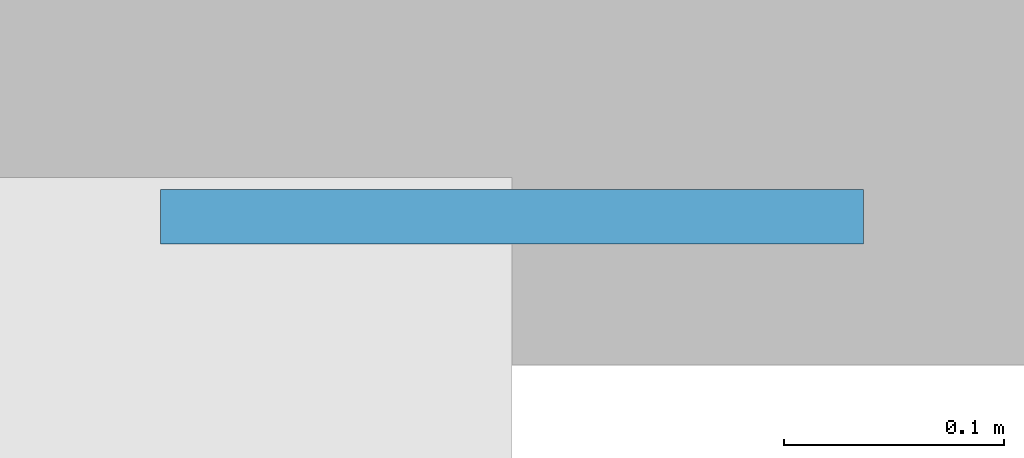
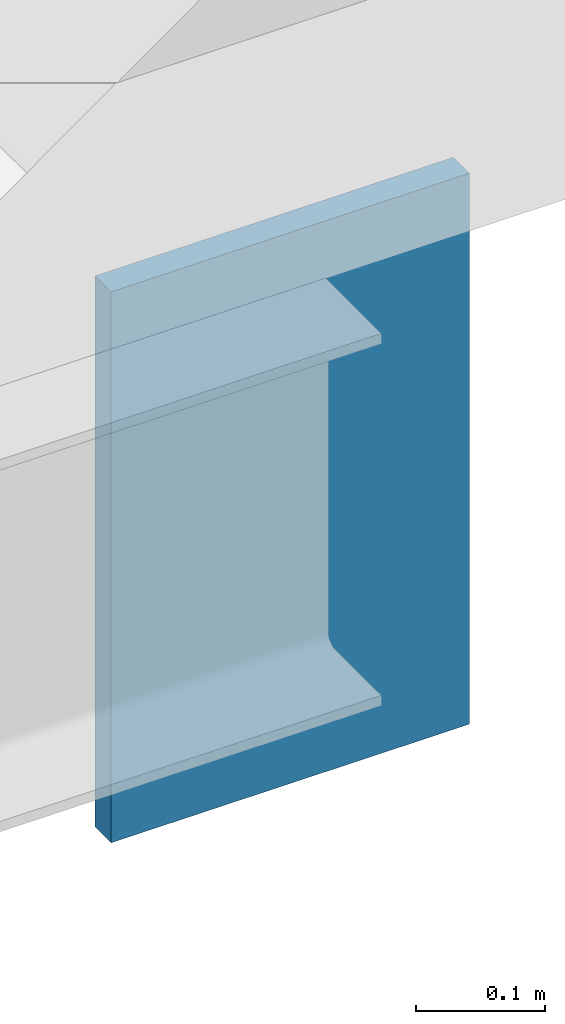
# One storey, part 11 of 14: 1 discrete accessory.
"""IFC4 building model written with IfcOpenShell, lengths in metres."""

from ifc_helpers import new_model, si_unit, direction, frame, origin, origin_2d, place, context, subcontext, project, spatial, rectangle, extrude, element, save


model = new_model("IFC4")

# Units and contexts
model_context = context("Model", 3, precision=1e-05, world=origin(), true_north=direction((0.0, 1.0)))
body_context = subcontext(model_context, "Body", "Model", "MODEL_VIEW")
ifc_project = project(units=[si_unit("LENGTHUNIT", "METRE"), si_unit("AREAUNIT", "SQUARE_METRE"), si_unit("VOLUMEUNIT", "CUBIC_METRE"), si_unit("PLANEANGLEUNIT", "RADIAN"), si_unit("MASSUNIT", "GRAM", prefix="KILO")], contexts=[model_context])

# Site, building, storey
site_placement = place(None, origin())
site = spatial("IfcSite", under=ifc_project, at=site_placement, CompositionType="ELEMENT")
building_placement = place(site_placement, origin())
building = spatial("IfcBuilding", under=site, at=building_placement, Name="Amberfall Residences", CompositionType="ELEMENT")
storey_placement = place(building_placement, frame((0.0, 0.0, 133.89990234375)))
storey = spatial("IfcBuildingStorey", under=building, at=storey_placement, Name="L35", CompositionType="ELEMENT", Elevation=133.89990234375)

# Discrete accessory
discrete_accessory_placement = place(storey_placement, frame((97.10009765625, 48.467529296875, -0.760009765625), z_axis=(0.0, 0.0, 1.0), x_axis=(0.0, -1.0, 0.0)))
element("IfcDiscreteAccessory", 1, at=discrete_accessory_placement, inside=storey, Name="End cap plate L35", PredefinedType="BRACKET", context=body_context, shape_type="SweptSolid", body=[
    extrude(rectangle(XDim=0.02490234375, YDim=0.320068359375, at=origin_2d()), origin(), (0.0, 0.0, 1.0), 0.52001953125),
])

save(model, "model.ifc")
